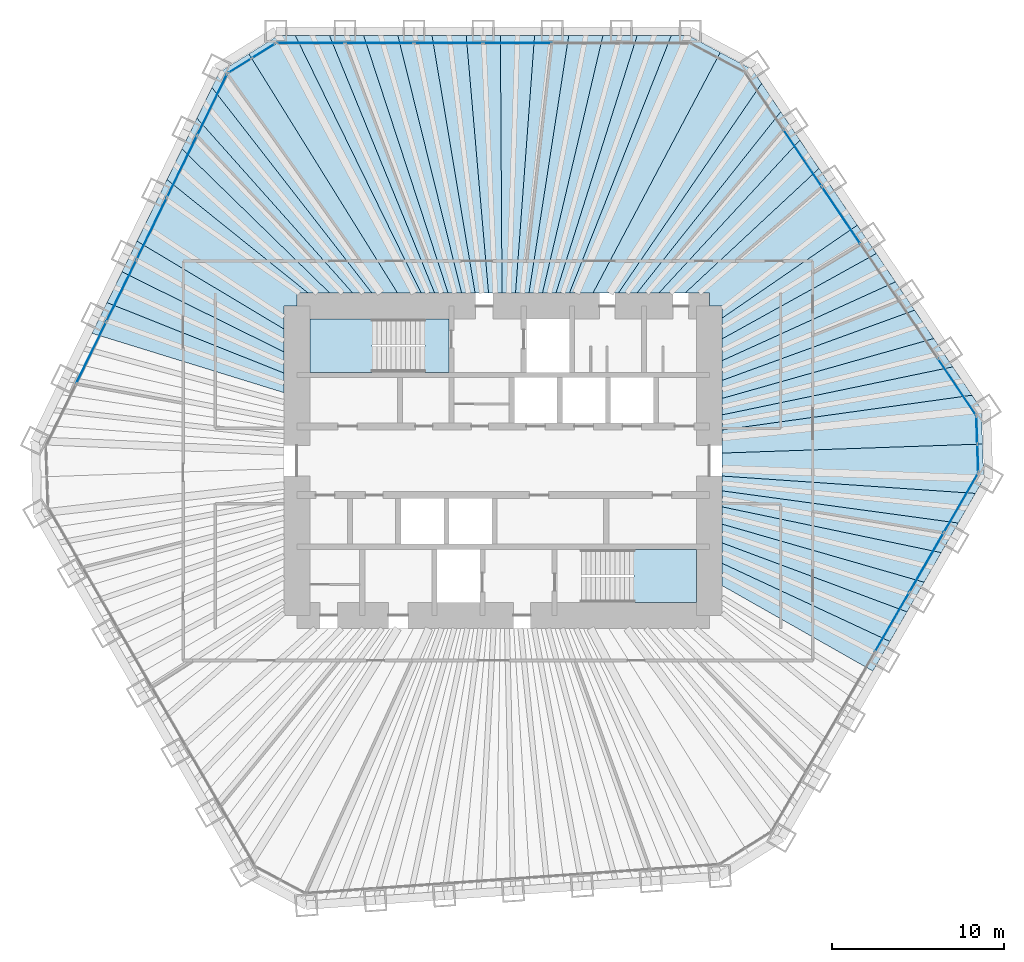
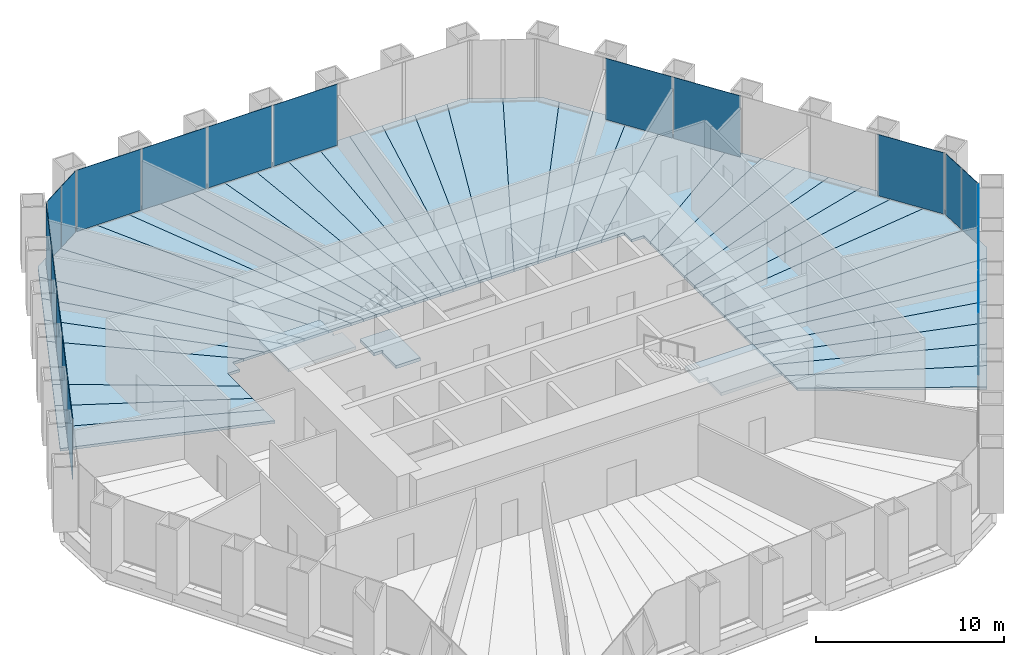
# One storey, part 9 of 13: 43 slabs, 19 plates, 8 elements without a shape of their own.
"""IFC4 building model written with IfcOpenShell, lengths in metres."""

from ifc_helpers import new_model, si_unit, direction, frame, origin, origin_2d, place, context, subcontext, project, spatial, polyline, rectangle, outline, extrude, material, layer, layer_set, type_object, element, aggregate, save


model = new_model("IFC4")

# Units and contexts
model_context = context("Model", 3, precision=1e-05, world=origin(), true_north=direction((0.0, 1.0)))
body_context = subcontext(model_context, "Body", "Model", "MODEL_VIEW")
ifc_project = project(units=[si_unit("LENGTHUNIT", "METRE"), si_unit("AREAUNIT", "SQUARE_METRE"), si_unit("VOLUMEUNIT", "CUBIC_METRE"), si_unit("PLANEANGLEUNIT", "RADIAN"), si_unit("MASSUNIT", "GRAM", prefix="KILO")], contexts=[model_context])

# Site, building, storey
site_placement = place(None, origin())
site = spatial("IfcSite", under=ifc_project, at=site_placement, CompositionType="ELEMENT")
building_placement = place(site_placement, origin())
building = spatial("IfcBuilding", under=site, at=building_placement, Name="Qingtian Harvest Tower", CompositionType="ELEMENT")
storey_placement = place(building_placement, frame((0.0, 0.0, 149.199951171875)))
storey = spatial("IfcBuildingStorey", under=building, at=storey_placement, Name="L31", CompositionType="ELEMENT", Elevation=149.199951171875)

# Slabs
ifc_material_1 = material(Name="Concrete fc' 35 MPa", Category="concrete")
ifc_layer_1 = layer(ifc_material_1, 0.169921875)
ifc_layer_set_1 = layer_set([ifc_layer_1], Name="Composite floor slab FS17 170")
slab_type_1 = type_object("IfcSlabType", Name="Composite floor slab FS17 170", PredefinedType="FLOOR", material=ifc_layer_set_1)
slab_1_placement = place(storey_placement, frame((0.0, 0.0, -0.169921875)))
element("IfcSlab", 1, at=slab_1_placement, inside=storey, type_object=slab_type_1, Name="Floor slab L31 panel D33", PredefinedType="FLOOR", context=body_context, shape_type="SweptSolid", body=[
    extrude(outline(polyline([(12.75, -5.97021484375), (22.51220703125, -10.517578125), (21.517333984375, -12.24072265625), (12.75, -7.268798828125), (12.75, -5.97021484375)])), origin(), (0.0, 0.0, 1.0), 0.169921875),
])
slab_2_placement = place(storey_placement, frame((0.0, 0.0, -0.169921875)))
element("IfcSlab", 2, at=slab_2_placement, inside=storey, type_object=slab_type_1, Name="Floor slab L31 panel D34", PredefinedType="FLOOR", context=body_context, shape_type="SweptSolid", body=[
    extrude(outline(polyline([(12.75, -4.78173828125), (23.50732421875, -8.794189453125), (22.51220703125, -10.517578125), (12.75, -5.97021484375), (12.75, -4.78173828125)])), origin(), (0.0, 0.0, 1.0), 0.169921875),
])
slab_3_placement = place(storey_placement, frame((0.0, 0.0, -0.169921875)))
element("IfcSlab", 3, at=slab_3_placement, inside=storey, type_object=slab_type_1, Name="Floor slab L31 panel D35", PredefinedType="FLOOR", context=body_context, shape_type="SweptSolid", body=[
    extrude(outline(polyline([(12.75, -3.68994140625), (24.502197265625, -7.071044921875), (23.50732421875, -8.794189453125), (12.75, -4.78173828125), (12.75, -3.68994140625)])), origin(), (0.0, 0.0, 1.0), 0.169921875),
])
slab_4_placement = place(storey_placement, frame((0.0, 0.0, -0.169921875)))
element("IfcSlab", 4, at=slab_4_placement, inside=storey, type_object=slab_type_1, Name="Floor slab L31 panel D36", PredefinedType="FLOOR", context=body_context, shape_type="SweptSolid", body=[
    extrude(outline(polyline([(12.75, -2.683349609375), (25.4970703125, -5.34765625), (24.502197265625, -7.071044921875), (12.75, -3.68994140625), (12.75, -2.683349609375)])), origin(), (0.0, 0.0, 1.0), 0.169921875),
])
slab_5_placement = place(storey_placement, frame((0.0, 0.0, -0.169921875)))
element("IfcSlab", 5, at=slab_5_placement, inside=storey, type_object=slab_type_1, Name="Floor slab L31 panel D37", PredefinedType="FLOOR", context=body_context, shape_type="SweptSolid", body=[
    extrude(outline(polyline([(12.75, -1.752685546875), (26.4921875, -3.624267578125), (25.4970703125, -5.34765625), (12.75, -2.683349609375), (12.75, -1.752685546875)])), origin(), (0.0, 0.0, 1.0), 0.169921875),
])
slab_6_placement = place(storey_placement, frame((0.0, 0.0, -0.169921875)))
element("IfcSlab", 6, at=slab_6_placement, inside=storey, type_object=slab_type_1, Name="Floor slab L31 panel D38", PredefinedType="FLOOR", context=body_context, shape_type="SweptSolid", body=[
    extrude(outline(polyline([(12.75, -0.889404296875), (27.487060546875, -1.901123046875), (26.4921875, -3.624267578125), (12.75, -1.752685546875), (12.75, -0.889404296875)])), origin(), (0.0, 0.0, 1.0), 0.169921875),
])
slab_7_placement = place(storey_placement, frame((0.0, 0.0, -0.169921875)))
element("IfcSlab", 7, at=slab_7_placement, inside=storey, type_object=slab_type_1, Name="Floor slab L31 panel D39", PredefinedType="FLOOR", context=body_context, shape_type="SweptSolid", body=[
    extrude(outline(polyline([(12.75, -0.889404296875), (12.75, 0.447509765625), (27.90185546875, 0.974365234375), (27.972900390625, -1.059814453125), (27.487060546875, -1.901123046875), (12.75, -0.889404296875)])), origin(), (0.0, 0.0, 1.0), 0.169921875),
])
slab_8_placement = place(storey_placement, frame((0.0, 0.0, -0.169921875)))
element("IfcSlab", 8, at=slab_8_placement, inside=storey, type_object=slab_type_1, Name="Floor slab L31 panel D40", PredefinedType="FLOOR", context=body_context, shape_type="SweptSolid", body=[
    extrude(outline(polyline([(12.75, 0.447509765625), (12.75, 1.79052734375), (27.287353515625, 3.81396484375), (27.830810546875, 3.008544921875), (27.90185546875, 0.974365234375), (12.75, 0.447509765625)])), origin(), (0.0, 0.0, 1.0), 0.169921875),
])
slab_9_placement = place(storey_placement, frame((0.0, 0.0, -0.169921875)))
element("IfcSlab", 9, at=slab_9_placement, inside=storey, type_object=slab_type_1, Name="Floor slab L31 panel D41", PredefinedType="FLOOR", context=body_context, shape_type="SweptSolid", body=[
    extrude(outline(polyline([(12.75, 2.671142578125), (26.1748046875, 5.463623046875), (27.287353515625, 3.81396484375), (12.75, 1.79052734375), (12.75, 2.671142578125)])), origin(), (0.0, 0.0, 1.0), 0.169921875),
])
slab_10_placement = place(storey_placement, frame((0.0, 0.0, -0.169921875)))
element("IfcSlab", 10, at=slab_10_placement, inside=storey, type_object=slab_type_1, Name="Floor slab L31 panel D42", PredefinedType="FLOOR", context=body_context, shape_type="SweptSolid", body=[
    extrude(outline(polyline([(12.75, 3.6298828125), (25.06201171875, 7.11328125), (26.1748046875, 5.463623046875), (12.75, 2.671142578125), (12.75, 3.6298828125)])), origin(), (0.0, 0.0, 1.0), 0.169921875),
])
slab_11_placement = place(storey_placement, frame((0.0, 0.0, -0.169921875)))
element("IfcSlab", 11, at=slab_11_placement, inside=storey, type_object=slab_type_1, Name="Floor slab L31 panel D43", PredefinedType="FLOOR", context=body_context, shape_type="SweptSolid", body=[
    extrude(outline(polyline([(12.75, 4.677734375), (23.94921875, 8.762939453125), (25.06201171875, 7.11328125), (12.75, 3.6298828125), (12.75, 4.677734375)])), origin(), (0.0, 0.0, 1.0), 0.169921875),
])
slab_12_placement = place(storey_placement, frame((0.0, 0.0, -0.169921875)))
element("IfcSlab", 12, at=slab_12_placement, inside=storey, type_object=slab_type_1, Name="Floor slab L31 panel D44", PredefinedType="FLOOR", context=body_context, shape_type="SweptSolid", body=[
    extrude(outline(polyline([(12.75, 5.828125), (22.83642578125, 10.41259765625), (23.94921875, 8.762939453125), (12.75, 4.677734375), (12.75, 5.828125)])), origin(), (0.0, 0.0, 1.0), 0.169921875),
])
slab_13_placement = place(storey_placement, frame((0.0, 0.0, -0.169921875)))
element("IfcSlab", 13, at=slab_13_placement, inside=storey, type_object=slab_type_1, Name="Floor slab L31 panel D45", PredefinedType="FLOOR", context=body_context, shape_type="SweptSolid", body=[
    extrude(outline(polyline([(12.75, 7.096435546875), (21.723876953125, 12.062255859375), (22.83642578125, 10.41259765625), (12.75, 5.828125), (12.75, 7.096435546875)])), origin(), (0.0, 0.0, 1.0), 0.169921875),
])
slab_14_placement = place(storey_placement, frame((0.0, 0.0, -0.169921875)))
element("IfcSlab", 14, at=slab_14_placement, inside=storey, type_object=slab_type_1, Name="Floor slab L31 panel D46", PredefinedType="FLOOR", context=body_context, shape_type="SweptSolid", body=[
    extrude(outline(polyline([(12.75, 8.30615234375), (20.61328125, 13.708740234375), (21.723876953125, 12.062255859375), (12.75, 7.096435546875), (12.75, 8.30615234375)])), origin(), (0.0, 0.0, 1.0), 0.169921875),
])
slab_15_placement = place(storey_placement, frame((0.0, 0.0, -0.169921875)))
element("IfcSlab", 15, at=slab_15_placement, inside=storey, type_object=slab_type_1, Name="Floor slab L31 panel D48", PredefinedType="FLOOR", context=body_context, shape_type="SweptSolid", body=[
    extrude(outline(polyline([(18.38623046875, 17.010498046875), (20.61328125, 13.708740234375), (12.75, 8.30615234375), (12.75, 9.0), (12.0, 9.0), (12.0, 9.75), (10.578369140625, 9.75), (18.38623046875, 17.010498046875)])), origin(), (0.0, 0.0, 1.0), 0.169921875),
])
slab_16_placement = place(storey_placement, frame((0.0, 0.0, -0.169921875)))
element("IfcSlab", 16, at=slab_16_placement, inside=storey, type_object=slab_type_1, Name="Floor slab L31 panel D49", PredefinedType="FLOOR", context=body_context, shape_type="SweptSolid", body=[
    extrude(outline(polyline([(9.0556640625, 9.75), (17.2734375, 18.66015625), (18.38623046875, 17.010498046875), (10.578369140625, 9.75), (9.0556640625, 9.75)])), origin(), (0.0, 0.0, 1.0), 0.169921875),
])
slab_17_placement = place(storey_placement, frame((0.0, 0.0, -0.169921875)))
element("IfcSlab", 17, at=slab_17_placement, inside=storey, type_object=slab_type_1, Name="Floor slab L31 panel D50", PredefinedType="FLOOR", context=body_context, shape_type="SweptSolid", body=[
    extrude(outline(polyline([(7.781494140625, 9.75), (16.16064453125, 20.31005859375), (17.2734375, 18.66015625), (9.0556640625, 9.75), (7.781494140625, 9.75)])), origin(), (0.0, 0.0, 1.0), 0.169921875),
])
slab_18_placement = place(storey_placement, frame((0.0, 0.0, -0.169921875)))
element("IfcSlab", 18, at=slab_18_placement, inside=storey, type_object=slab_type_1, Name="Floor slab L31 panel D51", PredefinedType="FLOOR", context=body_context, shape_type="SweptSolid", body=[
    extrude(outline(polyline([(6.69970703125, 9.75), (15.0478515625, 21.959716796875), (16.16064453125, 20.31005859375), (7.781494140625, 9.75), (6.69970703125, 9.75)])), origin(), (0.0, 0.0, 1.0), 0.169921875),
])
slab_19_placement = place(storey_placement, frame((0.0, 0.0, -0.169921875)))
element("IfcSlab", 19, at=slab_19_placement, inside=storey, type_object=slab_type_1, Name="Floor slab L31 panel D52", PredefinedType="FLOOR", context=body_context, shape_type="SweptSolid", body=[
    extrude(outline(polyline([(6.69970703125, 9.75), (5.224609375, 9.75), (12.634033203125, 23.759765625), (14.504638671875, 22.765380859375), (15.0478515625, 21.959716796875), (6.69970703125, 9.75)])), origin(), (0.0, 0.0, 1.0), 0.169921875),
])
slab_20_placement = place(storey_placement, frame((0.0, 0.0, -0.169921875)))
element("IfcSlab", 20, at=slab_20_placement, inside=storey, type_object=slab_type_1, Name="Floor slab L31 panel D53", PredefinedType="FLOOR", context=body_context, shape_type="SweptSolid", body=[
    extrude(outline(polyline([(3.856201171875, 9.75), (9.791015625, 24.7548828125), (10.762451171875, 24.7548828125), (12.634033203125, 23.759765625), (5.224609375, 9.75), (3.856201171875, 9.75)])), origin(), (0.0, 0.0, 1.0), 0.169921875),
])
slab_21_placement = place(storey_placement, frame((0.0, 0.0, -0.169921875)))
element("IfcSlab", 21, at=slab_21_placement, inside=storey, type_object=slab_type_1, Name="Floor slab L31 panel D54", PredefinedType="FLOOR", context=body_context, shape_type="SweptSolid", body=[
    extrude(outline(polyline([(3.072509765625, 9.75), (7.80126953125, 24.7548828125), (9.791015625, 24.7548828125), (3.856201171875, 9.75), (3.072509765625, 9.75)])), origin(), (0.0, 0.0, 1.0), 0.169921875),
])
slab_22_placement = place(storey_placement, frame((0.0, 0.0, -0.169921875)))
element("IfcSlab", 22, at=slab_22_placement, inside=storey, type_object=slab_type_1, Name="Floor slab L31 panel D55", PredefinedType="FLOOR", context=body_context, shape_type="SweptSolid", body=[
    extrude(outline(polyline([(2.288818359375, 9.75), (5.811279296875, 24.7548828125), (7.80126953125, 24.7548828125), (3.072509765625, 9.75), (2.288818359375, 9.75)])), origin(), (0.0, 0.0, 1.0), 0.169921875),
])
slab_23_placement = place(storey_placement, frame((0.0, 0.0, -0.169921875)))
element("IfcSlab", 23, at=slab_23_placement, inside=storey, type_object=slab_type_1, Name="Floor slab L31 panel D56", PredefinedType="FLOOR", context=body_context, shape_type="SweptSolid", body=[
    extrude(outline(polyline([(1.505126953125, 9.75), (3.821533203125, 24.7548828125), (5.811279296875, 24.7548828125), (2.288818359375, 9.75), (1.505126953125, 9.75)])), origin(), (0.0, 0.0, 1.0), 0.169921875),
])
slab_24_placement = place(storey_placement, frame((0.0, 0.0, -0.169921875)))
element("IfcSlab", 24, at=slab_24_placement, inside=storey, type_object=slab_type_1, Name="Floor slab L31 panel D57", PredefinedType="FLOOR", context=body_context, shape_type="SweptSolid", body=[
    extrude(outline(polyline([(0.721435546875, 9.75), (1.831787109375, 24.7548828125), (3.821533203125, 24.7548828125), (1.505126953125, 9.75), (0.721435546875, 9.75)])), origin(), (0.0, 0.0, 1.0), 0.169921875),
])
slab_25_placement = place(storey_placement, frame((0.0, 0.0, -0.169921875)))
element("IfcSlab", 25, at=slab_25_placement, inside=storey, type_object=slab_type_1, Name="Floor slab L31 panel D58", PredefinedType="FLOOR", context=body_context, shape_type="SweptSolid", body=[
    extrude(outline(polyline([(-0.062255859375, 9.75), (-0.158203125, 24.7548828125), (1.831787109375, 24.7548828125), (0.721435546875, 9.75), (-0.062255859375, 9.75)])), origin(), (0.0, 0.0, 1.0), 0.169921875),
])
slab_26_placement = place(storey_placement, frame((0.0, 0.0, -0.169921875)))
element("IfcSlab", 26, at=slab_26_placement, inside=storey, type_object=slab_type_1, Name="Floor slab L31 panel D59", PredefinedType="FLOOR", context=body_context, shape_type="SweptSolid", body=[
    extrude(outline(polyline([(-0.845947265625, 9.75), (-2.14794921875, 24.7548828125), (-0.158203125, 24.7548828125), (-0.062255859375, 9.75), (-0.845947265625, 9.75)])), origin(), (0.0, 0.0, 1.0), 0.169921875),
])
slab_27_placement = place(storey_placement, frame((0.0, 0.0, -0.169921875)))
element("IfcSlab", 27, at=slab_27_placement, inside=storey, type_object=slab_type_1, Name="Floor slab L31 panel D60", PredefinedType="FLOOR", context=body_context, shape_type="SweptSolid", body=[
    extrude(outline(polyline([(-1.629638671875, 9.75), (-4.137939453125, 24.7548828125), (-2.14794921875, 24.7548828125), (-0.845947265625, 9.75), (-1.629638671875, 9.75)])), origin(), (0.0, 0.0, 1.0), 0.169921875),
])
slab_28_placement = place(storey_placement, frame((0.0, 0.0, -0.169921875)))
element("IfcSlab", 28, at=slab_28_placement, inside=storey, type_object=slab_type_1, Name="Floor slab L31 panel D61", PredefinedType="FLOOR", context=body_context, shape_type="SweptSolid", body=[
    extrude(outline(polyline([(-2.41357421875, 9.75), (-6.127685546875, 24.7548828125), (-4.137939453125, 24.7548828125), (-1.629638671875, 9.75), (-2.41357421875, 9.75)])), origin(), (0.0, 0.0, 1.0), 0.169921875),
])
slab_29_placement = place(storey_placement, frame((0.0, 0.0, -0.169921875)))
element("IfcSlab", 29, at=slab_29_placement, inside=storey, type_object=slab_type_1, Name="Floor slab L31 panel D62", PredefinedType="FLOOR", context=body_context, shape_type="SweptSolid", body=[
    extrude(outline(polyline([(-3.197265625, 9.75), (-8.117431640625, 24.7548828125), (-6.127685546875, 24.7548828125), (-2.41357421875, 9.75), (-3.197265625, 9.75)])), origin(), (0.0, 0.0, 1.0), 0.169921875),
])
slab_30_placement = place(storey_placement, frame((0.0, 0.0, -0.169921875)))
element("IfcSlab", 30, at=slab_30_placement, inside=storey, type_object=slab_type_1, Name="Floor slab L31 panel D63", PredefinedType="FLOOR", context=body_context, shape_type="SweptSolid", body=[
    extrude(outline(polyline([(-3.98095703125, 9.75), (-10.107421875, 24.7548828125), (-8.117431640625, 24.7548828125), (-3.197265625, 9.75), (-3.98095703125, 9.75)])), origin(), (0.0, 0.0, 1.0), 0.169921875),
])
slab_31_placement = place(storey_placement, frame((0.0, 0.0, -0.169921875)))
element("IfcSlab", 31, at=slab_31_placement, inside=storey, type_object=slab_type_1, Name="Floor slab L31 panel D64", PredefinedType="FLOOR", context=body_context, shape_type="SweptSolid", body=[
    extrude(outline(polyline([(-4.7646484375, 9.75), (-12.09716796875, 24.7548828125), (-10.107421875, 24.7548828125), (-3.98095703125, 9.75), (-4.7646484375, 9.75)])), origin(), (0.0, 0.0, 1.0), 0.169921875),
])
slab_32_placement = place(storey_placement, frame((0.0, 0.0, -0.169921875)))
element("IfcSlab", 32, at=slab_32_placement, inside=storey, type_object=slab_type_1, Name="Floor slab L31 panel D65", PredefinedType="FLOOR", context=body_context, shape_type="SweptSolid", body=[
    extrude(outline(polyline([(-4.7646484375, 9.75), (-6.13671875, 9.75), (-14.795166015625, 23.676025390625), (-13.068603515625, 24.7548828125), (-12.09716796875, 24.7548828125), (-4.7646484375, 9.75)])), origin(), (0.0, 0.0, 1.0), 0.169921875),
])
slab_33_placement = place(storey_placement, frame((0.0, 0.0, -0.169921875)))
element("IfcSlab", 33, at=slab_33_placement, inside=storey, type_object=slab_type_1, Name="Floor slab L31 panel D66", PredefinedType="FLOOR", context=body_context, shape_type="SweptSolid", body=[
    extrude(outline(polyline([(-6.13671875, 9.75), (-7.62646484375, 9.75), (-16.94677734375, 21.724609375), (-16.520751953125, 22.597900390625), (-14.795166015625, 23.676025390625), (-6.13671875, 9.75)])), origin(), (0.0, 0.0, 1.0), 0.169921875),
])
slab_34_placement = place(storey_placement, frame((0.0, 0.0, -0.169921875)))
element("IfcSlab", 34, at=slab_34_placement, inside=storey, type_object=slab_type_1, Name="Floor slab L31 panel D67", PredefinedType="FLOOR", context=body_context, shape_type="SweptSolid", body=[
    extrude(outline(polyline([(-8.74169921875, 9.75), (-17.819091796875, 19.93603515625), (-16.94677734375, 21.724609375), (-7.62646484375, 9.75), (-8.74169921875, 9.75)])), origin(), (0.0, 0.0, 1.0), 0.169921875),
])
slab_35_placement = place(storey_placement, frame((0.0, 0.0, -0.169921875)))
element("IfcSlab", 35, at=slab_35_placement, inside=storey, type_object=slab_type_1, Name="Floor slab L31 panel D68", PredefinedType="FLOOR", context=body_context, shape_type="SweptSolid", body=[
    extrude(outline(polyline([(-10.077880859375, 9.75), (-18.69140625, 18.1474609375), (-17.819091796875, 19.93603515625), (-8.74169921875, 9.75), (-10.077880859375, 9.75)])), origin(), (0.0, 0.0, 1.0), 0.169921875),
])
slab_36_placement = place(storey_placement, frame((0.0, 0.0, -0.169921875)))
element("IfcSlab", 36, at=slab_36_placement, inside=storey, type_object=slab_type_1, Name="Floor slab L31 panel D69", PredefinedType="FLOOR", context=body_context, shape_type="SweptSolid", body=[
    extrude(outline(polyline([(-11.329345703125, 9.75), (-19.561279296875, 16.364013671875), (-18.69140625, 18.1474609375), (-10.077880859375, 9.75), (-11.329345703125, 9.75)])), origin(), (0.0, 0.0, 1.0), 0.169921875),
])
slab_37_placement = place(storey_placement, frame((0.0, 0.0, -0.169921875)))
element("IfcSlab", 37, at=slab_37_placement, inside=storey, type_object=slab_type_1, Name="Floor slab L31 panel D70", PredefinedType="FLOOR", context=body_context, shape_type="SweptSolid", body=[
    extrude(outline(polyline([(-12.0, 9.0), (-12.75, 9.0), (-12.75, 7.662841796875), (-21.307861328125, 12.78271484375), (-19.561279296875, 16.364013671875), (-11.329345703125, 9.75), (-12.0, 9.75), (-12.0, 9.0)])), origin(), (0.0, 0.0, 1.0), 0.169921875),
])
slab_38_placement = place(storey_placement, frame((0.0, 0.0, -0.169921875)))
element("IfcSlab", 38, at=slab_38_placement, inside=storey, type_object=slab_type_1, Name="Floor slab L31 panel D72", PredefinedType="FLOOR", context=body_context, shape_type="SweptSolid", body=[
    extrude(outline(polyline([(-12.75, 6.332275390625), (-22.18017578125, 10.994384765625), (-21.307861328125, 12.78271484375), (-12.75, 7.662841796875), (-12.75, 6.332275390625)])), origin(), (0.0, 0.0, 1.0), 0.169921875),
])
slab_39_placement = place(storey_placement, frame((0.0, 0.0, -0.169921875)))
element("IfcSlab", 39, at=slab_39_placement, inside=storey, type_object=slab_type_1, Name="Floor slab L31 panel D73", PredefinedType="FLOOR", context=body_context, shape_type="SweptSolid", body=[
    extrude(outline(polyline([(-12.75, 5.1025390625), (-23.052490234375, 9.205810546875), (-22.18017578125, 10.994384765625), (-12.75, 6.332275390625), (-12.75, 5.1025390625)])), origin(), (0.0, 0.0, 1.0), 0.169921875),
])
slab_40_placement = place(storey_placement, frame((0.0, 0.0, -0.169921875)))
element("IfcSlab", 40, at=slab_40_placement, inside=storey, type_object=slab_type_1, Name="Floor slab L31 panel D74", PredefinedType="FLOOR", context=body_context, shape_type="SweptSolid", body=[
    extrude(outline(polyline([(-12.75, 3.962646484375), (-23.9248046875, 7.417236328125), (-23.052490234375, 9.205810546875), (-12.75, 5.1025390625), (-12.75, 3.962646484375)])), origin(), (0.0, 0.0, 1.0), 0.169921875),
])

# Curtain wall, plates
ifc_material_2 = material(Name="Bronze-anodised aluminium curtain wall", Category="aluminium")
curtain_wall_type = type_object("IfcCurtainWallType", Name="Curtain wall CW4 office", PredefinedType="USERDEFINED", material=ifc_material_2)
curtain_wall_1_placement = place(storey_placement, origin())
curtain_wall_1 = element("IfcCurtainWall", 41, at=curtain_wall_1_placement, inside=storey, type_object=curtain_wall_type, Name="Curtain wall CW4 L31 N0-5", ObjectType="RECESSED CURTAIN WALL", PredefinedType="USERDEFINED")
ifc_material_3 = material(Name="Bronze-tinted laminated insulating glass", Category="glass")
ifc_layer_2 = layer(ifc_material_3, 0.030029296875)
ifc_layer_set_2 = layer_set([ifc_layer_2], Name="Glazed panel CWP tinted IGU")
plate_type = type_object("IfcPlateType", Name="Glazed panel CWP tinted IGU", PredefinedType="CURTAIN_PANEL", material=ifc_layer_set_2)
plate_1_placement = place(storey_placement, frame((-11.196044921875, 24.300048828125, 0.06494140625), z_axis=(0.0, 0.0, 1.0), x_axis=(1.0, 0.0, 0.0)))
plate_1 = element("IfcPlate", 42, at=plate_1_placement, type_object=plate_type, Name="CW4 panel 1.1", PredefinedType="CURTAIN_PANEL", context=body_context, shape_type="SweptSolid", body=[
    extrude(rectangle(XDim=3.921630859375, YDim=0.030029296875, at=origin_2d()), origin(), (0.0, 0.0, 1.0), 3.965087890625),
])
plate_2_placement = place(storey_placement, frame((-7.193115234375, 24.300048828125, 0.06494140625), z_axis=(0.0, 0.0, 1.0), x_axis=(1.0, 0.0, 0.0)))
plate_2 = element("IfcPlate", 43, at=plate_2_placement, type_object=plate_type, Name="CW4 panel 2.1", PredefinedType="CURTAIN_PANEL", context=body_context, shape_type="SweptSolid", body=[
    extrude(rectangle(XDim=3.9541015625, YDim=0.030029296875, at=origin_2d()), origin(), (0.0, 0.0, 1.0), 3.965087890625),
])
plate_3_placement = place(storey_placement, frame((-3.174072265625, 24.300048828125, 0.06494140625), z_axis=(0.0, 0.0, 1.0), x_axis=(1.0, 0.0, 0.0)))
plate_3 = element("IfcPlate", 44, at=plate_3_placement, type_object=plate_type, Name="CW4 panel 3.1", PredefinedType="CURTAIN_PANEL", context=body_context, shape_type="SweptSolid", body=[
    extrude(rectangle(XDim=3.9541015625, YDim=0.030029296875, at=origin_2d()), origin(), (0.0, 0.0, 1.0), 3.965087890625),
])
plate_4_placement = place(storey_placement, frame((0.844970703125, 24.300048828125, 0.06494140625), z_axis=(0.0, 0.0, 1.0), x_axis=(1.0, 0.0, 0.0)))
plate_4 = element("IfcPlate", 45, at=plate_4_placement, type_object=plate_type, Name="CW4 panel 4.1", PredefinedType="CURTAIN_PANEL", context=body_context, shape_type="SweptSolid", body=[
    extrude(rectangle(XDim=3.9541015625, YDim=0.030029296875, at=origin_2d()), origin(), (0.0, 0.0, 1.0), 3.965087890625),
])
aggregate(curtain_wall_1, [plate_1, plate_2, plate_3, plate_4])

curtain_wall_2_placement = place(storey_placement, origin())
curtain_wall_2 = element("IfcCurtainWall", 46, at=curtain_wall_2_placement, inside=storey, type_object=curtain_wall_type, Name="Curtain wall CW4 L31 NE0-5", ObjectType="RECESSED CURTAIN WALL", PredefinedType="USERDEFINED")
plate_5_placement = place(storey_placement, frame((17.425537109375, 17.620849609375, 0.06494140625), z_axis=(0.0, 0.0, 1.0), x_axis=(0.559192903471, -0.829037572555, 0.0)))
plate_5 = element("IfcPlate", 47, at=plate_5_placement, type_object=plate_type, Name="CW4 panel 2.1", PredefinedType="CURTAIN_PANEL", context=body_context, shape_type="SweptSolid", body=[
    extrude(rectangle(XDim=3.9541015625, YDim=0.030029296875, at=origin_2d()), origin(), (0.0, 0.0, 1.0), 3.965087890625),
])
plate_6_placement = place(storey_placement, frame((19.673095703125, 14.2890625, 0.06494140625), z_axis=(0.0, 0.0, 1.0), x_axis=(0.559192903471, -0.829037572555, 0.0)))
plate_6 = element("IfcPlate", 48, at=plate_6_placement, type_object=plate_type, Name="CW4 panel 3.1", PredefinedType="CURTAIN_PANEL", context=body_context, shape_type="SweptSolid", body=[
    extrude(rectangle(XDim=3.9541015625, YDim=0.030029296875, at=origin_2d()), origin(), (0.0, 0.0, 1.0), 3.965087890625),
])
plate_7_placement = place(storey_placement, frame((26.40625, 4.306640625, 0.06494140625), z_axis=(0.0, 0.0, 1.0), x_axis=(0.559192903471, -0.829037572555, 0.0)))
plate_7 = element("IfcPlate", 49, at=plate_7_placement, type_object=plate_type, Name="CW4 panel 6.1", PredefinedType="CURTAIN_PANEL", context=body_context, shape_type="SweptSolid", body=[
    extrude(rectangle(XDim=3.921630859375, YDim=0.030029296875, at=origin_2d()), origin(), (0.0, 0.0, 1.0), 3.965087890625),
])
aggregate(curtain_wall_2, [plate_5, plate_6, plate_7])

curtain_wall_3_placement = place(storey_placement, origin())
curtain_wall_3 = element("IfcCurtainWall", 50, at=curtain_wall_3_placement, inside=storey, type_object=curtain_wall_type, Name="Curtain wall CW4 L31 NEC", ObjectType="RECESSED CURTAIN WALL", PredefinedType="USERDEFINED")
plate_8_placement = place(storey_placement, frame((27.568603515625, 1.779052734375, 0.06494140625), z_axis=(0.0, 0.0, 1.0), x_axis=(0.034899496703, -0.999390827019, 0.0)))
plate_8 = element("IfcPlate", 51, at=plate_8_placement, type_object=plate_type, Name="CW4 panel 1.1", PredefinedType="CURTAIN_PANEL", context=body_context, shape_type="SweptSolid", body=[
    extrude(rectangle(XDim=1.56689453125, YDim=0.030029296875, at=origin_2d()), origin(), (0.0, 0.0, 1.0), 3.965087890625),
])
plate_9_placement = place(storey_placement, frame((27.625732421875, 0.148193359375, 0.06494140625), z_axis=(0.0, 0.0, 1.0), x_axis=(0.034899496703, -0.999390827019, 0.0)))
plate_9 = element("IfcPlate", 52, at=plate_9_placement, type_object=plate_type, Name="CW4 panel 2.1", PredefinedType="CURTAIN_PANEL", context=body_context, shape_type="SweptSolid", body=[
    extrude(rectangle(XDim=1.56689453125, YDim=0.030029296875, at=origin_2d()), origin(), (0.0, 0.0, 1.0), 3.965087890625),
])
aggregate(curtain_wall_3, [plate_8, plate_9])

curtain_wall_4_placement = place(storey_placement, origin())
curtain_wall_4 = element("IfcCurtainWall", 53, at=curtain_wall_4_placement, inside=storey, type_object=curtain_wall_type, Name="Curtain wall CW4 L31 SE0-5", ObjectType="RECESSED CURTAIN WALL", PredefinedType="USERDEFINED")
plate_10_placement = place(storey_placement, frame((26.642333984375, -2.4541015625, 0.06494140625), z_axis=(0.0, 0.0, 1.0), x_axis=(-0.5, -0.866025403784, 0.0)))
plate_10 = element("IfcPlate", 54, at=plate_10_placement, type_object=plate_type, Name="CW4 panel 1.1", PredefinedType="CURTAIN_PANEL", context=body_context, shape_type="SweptSolid", body=[
    extrude(rectangle(XDim=3.921630859375, YDim=0.030029296875, at=origin_2d()), origin(), (0.0, 0.0, 1.0), 3.965087890625),
])
plate_11_placement = place(storey_placement, frame((24.640869140625, -5.920654296875, 0.06494140625), z_axis=(0.0, 0.0, 1.0), x_axis=(-0.5, -0.866025403784, 0.0)))
plate_11 = element("IfcPlate", 55, at=plate_11_placement, type_object=plate_type, Name="CW4 panel 2.1", PredefinedType="CURTAIN_PANEL", context=body_context, shape_type="SweptSolid", body=[
    extrude(rectangle(XDim=3.9541015625, YDim=0.030029296875, at=origin_2d()), origin(), (0.0, 0.0, 1.0), 3.965087890625),
])
plate_12_placement = place(storey_placement, frame((22.63134765625, -9.401123046875, 0.06494140625), z_axis=(0.0, 0.0, 1.0), x_axis=(-0.5, -0.866025403784, 0.0)))
plate_12 = element("IfcPlate", 56, at=plate_12_placement, type_object=plate_type, Name="CW4 panel 3.1", PredefinedType="CURTAIN_PANEL", context=body_context, shape_type="SweptSolid", body=[
    extrude(rectangle(XDim=3.9541015625, YDim=0.030029296875, at=origin_2d()), origin(), (0.0, 0.0, 1.0), 3.965087890625),
])
aggregate(curtain_wall_4, [plate_10, plate_11, plate_12])

curtain_wall_5_placement = place(storey_placement, origin())
curtain_wall_5 = element("IfcCurtainWall", 57, at=curtain_wall_5_placement, inside=storey, type_object=curtain_wall_type, Name="Curtain wall CW4 L31 NW0-5", ObjectType="RECESSED CURTAIN WALL", PredefinedType="USERDEFINED")
plate_13_placement = place(storey_placement, frame((-23.972900390625, 6.280517578125, 0.06494140625), z_axis=(0.0, 0.0, 1.0), x_axis=(0.438371146789, 0.898794046299, 0.0)))
plate_13 = element("IfcPlate", 58, at=plate_13_placement, type_object=plate_type, Name="CW4 panel 2.1", PredefinedType="CURTAIN_PANEL", context=body_context, shape_type="SweptSolid", body=[
    extrude(rectangle(XDim=3.9541015625, YDim=0.030029296875, at=origin_2d()), origin(), (0.0, 0.0, 1.0), 3.965087890625),
])
plate_14_placement = place(storey_placement, frame((-22.211181640625, 9.892822265625, 0.06494140625), z_axis=(0.0, 0.0, 1.0), x_axis=(0.438371146789, 0.898794046299, 0.0)))
plate_14 = element("IfcPlate", 59, at=plate_14_placement, type_object=plate_type, Name="CW4 panel 3.1", PredefinedType="CURTAIN_PANEL", context=body_context, shape_type="SweptSolid", body=[
    extrude(rectangle(XDim=3.9541015625, YDim=0.030029296875, at=origin_2d()), origin(), (0.0, 0.0, 1.0), 3.965087890625),
])
plate_15_placement = place(storey_placement, frame((-20.44921875, 13.505126953125, 0.06494140625), z_axis=(0.0, 0.0, 1.0), x_axis=(0.438371146789, 0.898794046299, 0.0)))
plate_15 = element("IfcPlate", 60, at=plate_15_placement, type_object=plate_type, Name="CW4 panel 4.1", PredefinedType="CURTAIN_PANEL", context=body_context, shape_type="SweptSolid", body=[
    extrude(rectangle(XDim=3.9541015625, YDim=0.030029296875, at=origin_2d()), origin(), (0.0, 0.0, 1.0), 3.965087890625),
])
plate_16_placement = place(storey_placement, frame((-18.6875, 17.117431640625, 0.06494140625), z_axis=(0.0, 0.0, 1.0), x_axis=(0.438371146789, 0.898794046299, 0.0)))
plate_16 = element("IfcPlate", 61, at=plate_16_placement, type_object=plate_type, Name="CW4 panel 5.1", PredefinedType="CURTAIN_PANEL", context=body_context, shape_type="SweptSolid", body=[
    extrude(rectangle(XDim=3.9541015625, YDim=0.030029296875, at=origin_2d()), origin(), (0.0, 0.0, 1.0), 3.965087890625),
])
plate_17_placement = place(storey_placement, frame((-16.9326171875, 20.71533203125, 0.06494140625), z_axis=(0.0, 0.0, 1.0), x_axis=(0.438371146789, 0.898794046299, 0.0)))
plate_17 = element("IfcPlate", 62, at=plate_17_placement, type_object=plate_type, Name="CW4 panel 6.1", PredefinedType="CURTAIN_PANEL", context=body_context, shape_type="SweptSolid", body=[
    extrude(rectangle(XDim=3.921630859375, YDim=0.030029296875, at=origin_2d()), origin(), (0.0, 0.0, 1.0), 3.965087890625),
])
aggregate(curtain_wall_5, [plate_13, plate_14, plate_15, plate_16, plate_17])

curtain_wall_6_placement = place(storey_placement, origin())
curtain_wall_6 = element("IfcCurtainWall", 63, at=curtain_wall_6_placement, inside=storey, type_object=curtain_wall_type, Name="Curtain wall CW4 L31 NWC", ObjectType="RECESSED CURTAIN WALL", PredefinedType="USERDEFINED")
plate_18_placement = place(storey_placement, frame((-15.3251953125, 22.985595703125, 0.06494140625), z_axis=(0.0, 0.0, 1.0), x_axis=(0.848048096156, 0.529919264233, 0.0)))
plate_18 = element("IfcPlate", 64, at=plate_18_placement, type_object=plate_type, Name="CW4 panel 1.1", PredefinedType="CURTAIN_PANEL", context=body_context, shape_type="SweptSolid", body=[
    extrude(rectangle(XDim=1.56689453125, YDim=0.030029296875, at=origin_2d()), origin(), (0.0, 0.0, 1.0), 3.965087890625),
])
plate_19_placement = place(storey_placement, frame((-13.941162109375, 23.850341796875, 0.06494140625), z_axis=(0.0, 0.0, 1.0), x_axis=(0.848048096156, 0.529919264233, 0.0)))
plate_19 = element("IfcPlate", 65, at=plate_19_placement, type_object=plate_type, Name="CW4 panel 2.1", PredefinedType="CURTAIN_PANEL", context=body_context, shape_type="SweptSolid", body=[
    extrude(rectangle(XDim=1.56689453125, YDim=0.030029296875, at=origin_2d()), origin(), (0.0, 0.0, 1.0), 3.965087890625),
])
aggregate(curtain_wall_6, [plate_18, plate_19])

# Stair, slabs
ifc_material_4 = material(Name="Concrete fc' 35 MPa", Category="concrete")
stair_type = type_object("IfcStairType", Name="Special stair ST3 4200", PredefinedType="HALF_TURN_STAIR", material=ifc_material_4)
stair_1_placement = place(storey_placement, origin())
stair_1 = element("IfcStair", 66, at=stair_1_placement, inside=storey, type_object=stair_type, Name="Special stair S1 L31", PredefinedType="HALF_TURN_STAIR")
ifc_material_5 = material(Name="Concrete fc' 35 MPa", Category="concrete")
ifc_layer_3 = layer(ifc_material_5, 0.199951171875)
ifc_layer_set_3 = layer_set([ifc_layer_3], Name="Stair landing SL2 200")
slab_type_2 = type_object("IfcSlabType", Name="Stair landing SL2 200", PredefinedType="LANDING", material=ifc_layer_set_3)
slab_41_placement = place(storey_placement, frame((0.0, 0.0, -0.199951171875)))
slab_41 = element("IfcSlab", 67, at=slab_41_placement, type_object=slab_type_2, Name="S1 landing 1", PredefinedType="LANDING", context=body_context, shape_type="SweptSolid", body=[
    extrude(outline(polyline([(-4.64990234375, 5.14990234375), (-4.64990234375, 6.64990234375), (-4.550048828125, 6.64990234375), (-4.550048828125, 6.75), (-5.0849609375, 6.75), (-5.0849609375, 8.25), (-3.14990234375, 8.25), (-3.14990234375, 5.14990234375), (-4.64990234375, 5.14990234375)])), origin(), (0.0, 0.0, 1.0), 0.199951171875),
])
slab_42_placement = place(storey_placement, frame((0.0, 0.0, 1.900146484375)))
slab_42 = element("IfcSlab", 68, at=slab_42_placement, type_object=slab_type_2, Name="S1 landing 2", PredefinedType="LANDING", context=body_context, shape_type="SweptSolid", body=[
    extrude(outline(polyline([(-7.094970703125, 5.14990234375), (-11.25, 5.14990234375), (-11.25, 8.25), (-7.530029296875, 8.25), (-7.530029296875, 6.75), (-7.6298828125, 6.75), (-7.6298828125, 6.64990234375), (-7.094970703125, 6.64990234375), (-7.094970703125, 5.14990234375)])), origin(), (0.0, 0.0, 1.0), 0.199951171875),
])
aggregate(stair_1, [slab_41, slab_42])

# Stair, slab
stair_2_placement = place(storey_placement, origin())
stair_2 = element("IfcStair", 69, at=stair_2_placement, inside=storey, type_object=stair_type, Name="Special stair S2 L31", PredefinedType="HALF_TURN_STAIR")
slab_43_placement = place(storey_placement, frame((0.0, 0.0, 1.900146484375)))
slab_43 = element("IfcSlab", 70, at=slab_43_placement, type_object=slab_type_2, Name="S2 landing 2", PredefinedType="LANDING", context=body_context, shape_type="SweptSolid", body=[
    extrude(outline(polyline([(7.530029296875, -8.25), (7.530029296875, -6.75), (7.6298828125, -6.75), (7.6298828125, -6.64990234375), (7.094970703125, -6.64990234375), (7.094970703125, -5.14990234375), (11.25, -5.14990234375), (11.25, -8.25), (7.530029296875, -8.25)])), origin(), (0.0, 0.0, 1.0), 0.199951171875),
])
aggregate(stair_2, [slab_43])

save(model, "model.ifc")
